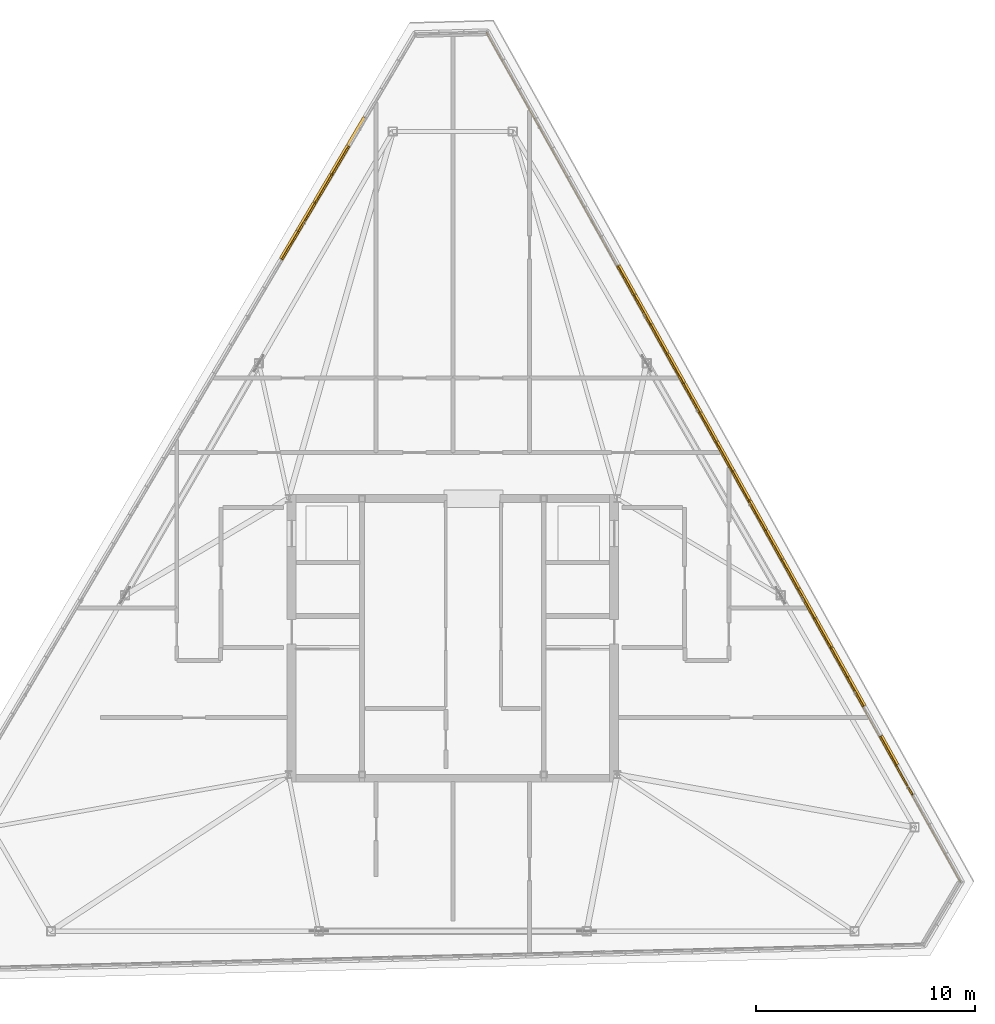
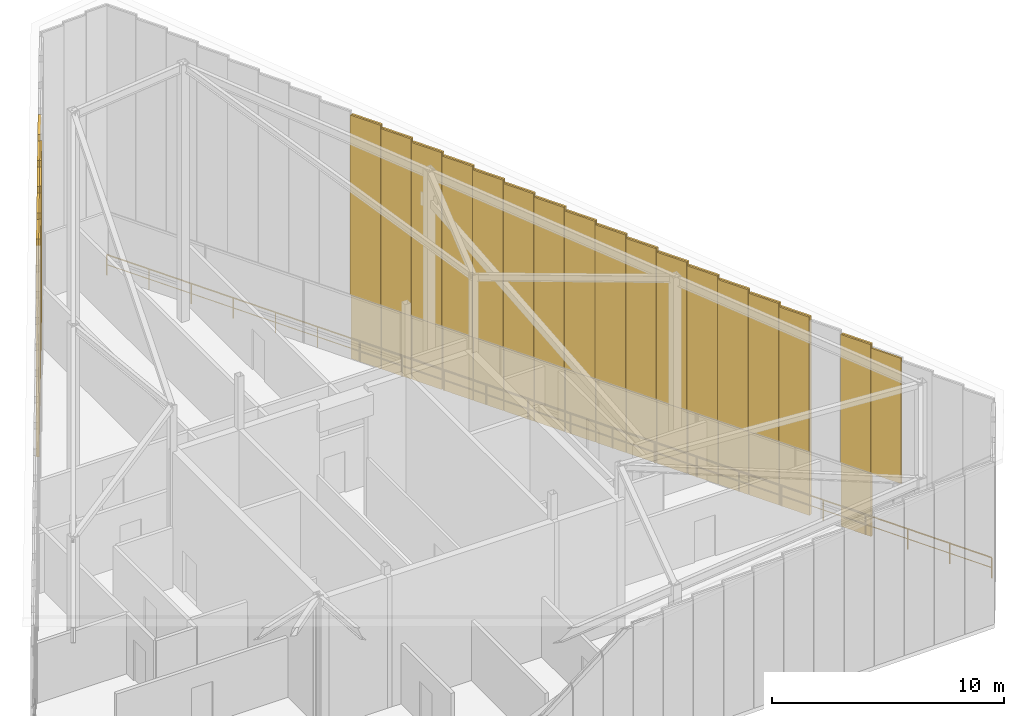
# One storey, part 49 of 50: 21 coverings, 21 shading devices, 1 railing.
"""IFC4 building model written with IfcOpenShell, lengths in metres."""

import ifcopenshell
import ifcopenshell.guid

model = None  # the IFC model being written
_history = None  # IfcOwnerHistory: only IFC2X3 demands one
_inside = {}  # id of a spatial element -> (the spatial element, [elements in it])
_under = {}  # id of a project, library or spatial element -> (it, [spatial elements below it])
_declared = {}  # id of a project -> (the project, [libraries it declares])
_typed = {}  # id of a type object -> (the type object, [elements of that type])
_made_of = {}  # id of a material, layer set ... -> (it, [elements and type objects made of it])


def new_model(schema):
    """Start an empty IFC model of exactly this schema.

    Asked for "IFC4X3", IfcOpenShell would pick the latest addendum, in which some entities
    have other attributes; the version numbers below select the first issue.
    IFC2X3 requires an IfcOwnerHistory on every rooted entity: one is made here for all.
    """
    global model, _history
    if schema == "IFC4X3":
        model = ifcopenshell.file(schema_version=(4, 3, 0, 0))
    else:
        model = ifcopenshell.file(schema=schema)
    _inside.clear()
    _under.clear()
    _declared.clear()
    _typed.clear()
    _made_of.clear()
    _history = None
    if model.schema == "IFC2X3":
        org = make("IfcOrganization", Name="unknown")
        user = make(
            "IfcPersonAndOrganization",
            ThePerson=make("IfcPerson", FamilyName="unknown"),
            TheOrganization=org,
        )
        app = make(
            "IfcApplication",
            ApplicationDeveloper=org,
            Version="unknown",
            ApplicationFullName="unknown",
            ApplicationIdentifier="unknown",
        )
        _history = make(
            "IfcOwnerHistory",
            OwningUser=user,
            OwningApplication=app,
            ChangeAction="ADDED",
            CreationDate=0,
        )
    return model


def make(cls, **values):
    """One entity of the class cls with the attributes given. An attribute that is None is left unset."""
    return model.create_entity(
        cls, **{name: value for name, value in values.items() if value is not None}
    )


def rooted(cls, **values):
    """An entity with a GlobalId (a new one), such as an element, a storey or a relation."""
    return make(cls, GlobalId=ifcopenshell.guid.new(), OwnerHistory=_history, **values)


def si_unit(unit_type, name, prefix=None):
    """IfcSIUnit, for example si_unit("LENGTHUNIT", "METRE", prefix="MILLI")."""
    return make("IfcSIUnit", UnitType=unit_type, Prefix=prefix, Name=name)


def assignment(units):
    """IfcUnitAssignment: the units of a project."""
    return None if units is None else make("IfcUnitAssignment", Units=units)


def point(xyz):
    """IfcCartesianPoint."""
    return None if xyz is None else make("IfcCartesianPoint", Coordinates=xyz)


def direction(xyz):
    """IfcDirection."""
    return None if xyz is None else make("IfcDirection", DirectionRatios=xyz)


def frame(location, z_axis=None, x_axis=None):
    """IfcAxis2Placement3D, a coordinate frame: its origin and axes. An axis left out is left unset."""
    return make(
        "IfcAxis2Placement3D",
        Location=point(location),
        Axis=direction(z_axis),
        RefDirection=direction(x_axis),
    )


def frame_2d(location, x_axis=None):
    """IfcAxis2Placement2D, a coordinate frame in the plane: its origin and x axis."""
    return make(
        "IfcAxis2Placement2D", Location=point(location), RefDirection=direction(x_axis)
    )


def origin():
    """The frame at (0, 0, 0) with its axes left unset."""
    return frame((0.0, 0.0, 0.0))


def origin_2d():
    """The frame at (0, 0) in the plane with its x axis left unset."""
    return frame_2d((0.0, 0.0))


def place(relative_to, where):
    """IfcLocalPlacement: puts the frame where relative to a parent placement (None: the world)."""
    return make(
        "IfcLocalPlacement", PlacementRelTo=relative_to, RelativePlacement=where
    )


def context(
    kind, dimensions, precision=None, world=None, true_north=None, identifier=None
):
    """IfcGeometricRepresentationContext, for example the 3D "Model" context."""
    return make(
        "IfcGeometricRepresentationContext",
        ContextIdentifier=identifier,
        ContextType=kind,
        CoordinateSpaceDimension=dimensions,
        Precision=precision,
        WorldCoordinateSystem=world,
        TrueNorth=true_north,
    )


def subcontext(parent, identifier, kind, view, scale=None):
    """IfcGeometricRepresentationSubContext, for example "Body" below "Model"."""
    return make(
        "IfcGeometricRepresentationSubContext",
        ContextIdentifier=identifier,
        ContextType=kind,
        ParentContext=parent,
        TargetScale=scale,
        TargetView=view,
    )


def project(units=None, contexts=None):
    """IfcProject with its units and contexts."""
    return rooted(
        "IfcProject",
        Name="project",
        RepresentationContexts=contexts,
        UnitsInContext=assignment(units),
    )


def spatial(cls, under=None, at=None, **own):
    """A site, building, storey or space (cls), placed at a placement, below another one or the project."""
    s = rooted(cls, ObjectPlacement=at, **own)
    if under is not None:
        _under.setdefault(under.id(), (under, []))[1].append(s)
    return s


def profile(cls, at=None, kind="AREA", **sizes):
    """A parametric profile (cls). Its sizes go by their IFC names, for example OverallWidth=200.0."""
    return make(cls, ProfileType=kind, Position=at, **sizes)


def rectangle(**sizes):
    """IfcRectangleProfileDef."""
    return profile("IfcRectangleProfileDef", **sizes)


def extrude(swept, where, along, depth):
    """IfcExtrudedAreaSolid: the profile swept, set in the frame where, extruded along a direction by depth."""
    return make(
        "IfcExtrudedAreaSolid",
        SweptArea=swept,
        Position=where,
        ExtrudedDirection=direction(along),
        Depth=depth,
    )


def shape(context_of_items, identifier, shape_type, items):
    """IfcShapeRepresentation: the items that make up one representation, for example the "Body"."""
    return make(
        "IfcShapeRepresentation",
        ContextOfItems=context_of_items,
        RepresentationIdentifier=identifier,
        RepresentationType=shape_type,
        Items=items,
    )


def source(mapping_origin, context_of_items, identifier, shape_type, items):
    """IfcRepresentationMap: a shape defined once, which mapped items show again and again."""
    return make(
        "IfcRepresentationMap",
        MappingOrigin=mapping_origin,
        MappedRepresentation=shape(context_of_items, identifier, shape_type, items),
    )


def transform(
    local_origin,
    x_axis=None,
    y_axis=None,
    z_axis=None,
    scale=None,
    scale2=None,
    scale3=None,
    uniform=True,
):
    """IfcCartesianTransformationOperator3D, or its non-uniform kind. x_axis, y_axis, z_axis: its Axis1, 2, 3."""
    if uniform:
        return make(
            "IfcCartesianTransformationOperator3D",
            Axis1=direction(x_axis),
            Axis2=direction(y_axis),
            LocalOrigin=point(local_origin),
            Scale=scale,
            Axis3=direction(z_axis),
        )
    return make(
        "IfcCartesianTransformationOperator3DnonUniform",
        Axis1=direction(x_axis),
        Axis2=direction(y_axis),
        LocalOrigin=point(local_origin),
        Scale=scale,
        Axis3=direction(z_axis),
        Scale2=scale2,
        Scale3=scale3,
    )


def mapped(mapping_source, mapping_target):
    """IfcMappedItem: shows the shape of a source again, moved by a transform."""
    return make(
        "IfcMappedItem", MappingSource=mapping_source, MappingTarget=mapping_target
    )


def material(Name=None, Category=None):
    """IfcMaterial."""
    return make("IfcMaterial", Name=Name, Category=Category)


def layer(
    of_material, thickness, ventilated=None, Name=None, Category=None, Priority=None
):
    """IfcMaterialLayer: one layer of a wall or slab, of a material (None: an air gap)."""
    return make(
        "IfcMaterialLayer",
        Material=of_material,
        LayerThickness=thickness,
        IsVentilated=ventilated,
        Name=Name,
        Category=Category,
        Priority=Priority,
    )


def layer_set(layers, Name=None):
    """IfcMaterialLayerSet."""
    return make("IfcMaterialLayerSet", MaterialLayers=layers, LayerSetName=Name)


def made_of(thing, what):
    """Note that an element or type object is made of a material, layer set ...; save() writes the relation."""
    if what is not None:
        _made_of.setdefault(what.id(), (what, []))[1].append(thing)
    return thing


def type_object(cls, material=None, **own):
    """A type object (cls), such as IfcWallType, which elements share."""
    return made_of(rooted(cls, **own), material)


def type_shapes(of_type, sources):
    """Give a type object the sources (RepresentationMaps) that its elements show as mapped items."""
    of_type.RepresentationMaps = sources


def element(
    cls,
    number,
    at=None,
    inside=None,
    cuts=None,
    type_object=None,
    material=None,
    context=None,
    identifier="Body",
    shape_type=None,
    held_by="IfcProductDefinitionShape",
    body=None,
    shapes=None,
    **own,
):
    """One element of the class cls, such as IfcWall. Its Tag is "e" and its number.

    at: its placement. inside: the storey or other place that contains it. cuts: it is an
    opening in that element (IfcRelVoidsElement). A single representation is given by context,
    identifier, shape_type and body (its items); several are given by shapes. held_by: the class
    of the entity that holds the representations. save() writes the other relations.
    """
    e = rooted(cls, Tag="e%d" % number, ObjectPlacement=at, **own)
    if body is not None:
        shapes = [shape(context, identifier, shape_type, body)]
    if shapes is not None:
        e.Representation = make(held_by, Representations=shapes)
    if inside is not None:
        _inside.setdefault(inside.id(), (inside, []))[1].append(e)
    if cuts is not None:
        rooted(
            "IfcRelVoidsElement", RelatingBuildingElement=cuts, RelatedOpeningElement=e
        )
    if type_object is not None:
        _typed.setdefault(type_object.id(), (type_object, []))[1].append(e)
    return made_of(e, material)


def aggregate(whole, parts):
    """IfcRelAggregates: a whole, such as a stair, and the parts it consists of."""
    return rooted("IfcRelAggregates", RelatingObject=whole, RelatedObjects=parts)


def save(model, path):
    """Write the relations noted so far, then the file.

    IfcRelAggregates (storeys below a building ...), IfcRelContainedInSpatialStructure (elements
    in a storey), IfcRelDefinesByType, IfcRelAssociatesMaterial and IfcRelDeclares: one each for
    every whole, place, type object, material and project.
    """
    for whole, parts in _under.values():
        aggregate(whole, parts)
    for where, things in _inside.values():
        rooted(
            "IfcRelContainedInSpatialStructure",
            RelatedElements=things,
            RelatingStructure=where,
        )
    for kind, things in _typed.values():
        rooted("IfcRelDefinesByType", RelatedObjects=things, RelatingType=kind)
    for what, things in _made_of.values():
        rooted("IfcRelAssociatesMaterial", RelatedObjects=things, RelatingMaterial=what)
    for by, libraries in _declared.values():
        rooted("IfcRelDeclares", RelatingContext=by, RelatedDefinitions=libraries)
    model.write(path)


model = new_model("IFC4")

# Units and contexts
model_context = context("Model", 3, precision=1e-05, world=origin(), true_north=direction((0.0, 1.0)))
body_context = subcontext(model_context, "Body", "Model", "MODEL_VIEW")
ifc_project = project(units=[si_unit("LENGTHUNIT", "METRE"), si_unit("AREAUNIT", "SQUARE_METRE"), si_unit("VOLUMEUNIT", "CUBIC_METRE"), si_unit("PLANEANGLEUNIT", "RADIAN"), si_unit("MASSUNIT", "GRAM", prefix="KILO")], contexts=[model_context])

# Site, building, storey
site_placement = place(None, origin())
site = spatial("IfcSite", under=ifc_project, at=site_placement, CompositionType="ELEMENT")
building_placement = place(site_placement, origin())
building = spatial("IfcBuilding", under=site, at=building_placement, Name="Caelisora Broadcast Tower", CompositionType="ELEMENT")
storey_placement = place(building_placement, frame((0.0, 0.0, 303.39990234375)))
storey = spatial("IfcBuildingStorey", under=building, at=storey_placement, Name="L80", CompositionType="ELEMENT", Elevation=303.39990234375)

# Railing
ifc_material_1 = material(Name="Galvanised Steel Safety Guardrail", Category="steel")
ifc_layer_1 = layer(ifc_material_1, 0.048095703125, Name="Galvanised Steel Safety Guardrail")
ifc_layer_set_1 = layer_set([ifc_layer_1], Name="Galvanised Steel Safety Guardrail")
railing_type = type_object("IfcRailingType", Name="GR-1", PredefinedType="GUARDRAIL", material=ifc_layer_set_1)
railing_placement = place(storey_placement, frame((39.541015625, 51.26708984375, 0.0)))
element("IfcRailing", 1, at=railing_placement, inside=storey, type_object=railing_type, Name="L80 balustrade GR-1 #06", PredefinedType="GUARDRAIL", context=body_context, shape_type="SweptSolid", body=[
    extrude(rectangle(XDim=0.048095703125, YDim=0.048095703125, at=origin_2d()), frame((0.0, 0.0, 1.076171875), z_axis=(0.487266590232, -0.873253267983, 0.0), x_axis=(0.873253267983, 0.487266590232, 0.0)), (0.0, 0.0, 1.0), 44.392822265625),
    extrude(rectangle(XDim=0.03125, YDim=0.03125, at=origin_2d()), frame((0.0, 0.0, 0.550048828125), z_axis=(0.487266590232, -0.873253267983, 0.0), x_axis=(0.873253267983, 0.487266590232, 0.0)), (0.0, 0.0, 1.0), 44.392822265625),
    extrude(rectangle(XDim=0.0419921875, YDim=0.0419921875, at=origin_2d()), origin(), (0.0, 0.0, 1.0), 1.052001953125),
    extrude(rectangle(XDim=0.0419921875, YDim=0.0419921875, at=origin_2d()), frame((1.030029296875, -1.845947265625, 0.0)), (0.0, 0.0, 1.0), 1.052001953125),
    extrude(rectangle(XDim=0.0419921875, YDim=0.0419921875, at=origin_2d()), frame((2.06005859375, -3.69189453125, 0.0)), (0.0, 0.0, 1.0), 1.052001953125),
    extrude(rectangle(XDim=0.0419921875, YDim=0.0419921875, at=origin_2d()), frame((3.090087890625, -5.5380859375, 0.0)), (0.0, 0.0, 1.0), 1.052001953125),
    extrude(rectangle(XDim=0.0419921875, YDim=0.0419921875, at=origin_2d()), frame((4.1201171875, -7.384033203125, 0.0)), (0.0, 0.0, 1.0), 1.052001953125),
    extrude(rectangle(XDim=0.0419921875, YDim=0.0419921875, at=origin_2d()), frame((5.150146484375, -9.22998046875, 0.0)), (0.0, 0.0, 1.0), 1.052001953125),
    extrude(rectangle(XDim=0.0419921875, YDim=0.0419921875, at=origin_2d()), frame((6.180419921875, -11.075927734375, 0.0)), (0.0, 0.0, 1.0), 1.052001953125),
    extrude(rectangle(XDim=0.0419921875, YDim=0.0419921875, at=origin_2d()), frame((7.21044921875, -12.922119140625, 0.0)), (0.0, 0.0, 1.0), 1.052001953125),
    extrude(rectangle(XDim=0.0419921875, YDim=0.0419921875, at=origin_2d()), frame((8.240478515625, -14.76806640625, 0.0)), (0.0, 0.0, 1.0), 1.052001953125),
    extrude(rectangle(XDim=0.0419921875, YDim=0.0419921875, at=origin_2d()), frame((9.2705078125, -16.614013671875, 0.0)), (0.0, 0.0, 1.0), 1.052001953125),
    extrude(rectangle(XDim=0.0419921875, YDim=0.0419921875, at=origin_2d()), frame((10.300537109375, -18.4599609375, 0.0)), (0.0, 0.0, 1.0), 1.052001953125),
    extrude(rectangle(XDim=0.0419921875, YDim=0.0419921875, at=origin_2d()), frame((11.33056640625, -20.30615234375, 0.0)), (0.0, 0.0, 1.0), 1.052001953125),
    extrude(rectangle(XDim=0.0419921875, YDim=0.0419921875, at=origin_2d()), frame((12.360595703125, -22.152099609375, 0.0)), (0.0, 0.0, 1.0), 1.052001953125),
    extrude(rectangle(XDim=0.0419921875, YDim=0.0419921875, at=origin_2d()), frame((13.390625, -23.998046875, 0.0)), (0.0, 0.0, 1.0), 1.052001953125),
    extrude(rectangle(XDim=0.0419921875, YDim=0.0419921875, at=origin_2d()), frame((14.420654296875, -25.843994140625, 0.0)), (0.0, 0.0, 1.0), 1.052001953125),
    extrude(rectangle(XDim=0.0419921875, YDim=0.0419921875, at=origin_2d()), frame((15.45068359375, -27.690185546875, 0.0)), (0.0, 0.0, 1.0), 1.052001953125),
    extrude(rectangle(XDim=0.0419921875, YDim=0.0419921875, at=origin_2d()), frame((16.48095703125, -29.5361328125, 0.0)), (0.0, 0.0, 1.0), 1.052001953125),
    extrude(rectangle(XDim=0.0419921875, YDim=0.0419921875, at=origin_2d()), frame((17.510986328125, -31.382080078125, 0.0)), (0.0, 0.0, 1.0), 1.052001953125),
    extrude(rectangle(XDim=0.0419921875, YDim=0.0419921875, at=origin_2d()), frame((18.541015625, -33.22802734375, 0.0)), (0.0, 0.0, 1.0), 1.052001953125),
    extrude(rectangle(XDim=0.0419921875, YDim=0.0419921875, at=origin_2d()), frame((19.571044921875, -35.07421875, 0.0)), (0.0, 0.0, 1.0), 1.052001953125),
    extrude(rectangle(XDim=0.0419921875, YDim=0.0419921875, at=origin_2d()), frame((20.60107421875, -36.920166015625, 0.0)), (0.0, 0.0, 1.0), 1.052001953125),
    extrude(rectangle(XDim=0.0419921875, YDim=0.0419921875, at=origin_2d()), frame((21.631103515625, -38.76611328125, 0.0)), (0.0, 0.0, 1.0), 1.052001953125),
])

# Shading devices
ifc_material_2 = material(Name="Anodised Terracotta Aluminium Acoustic Louvre", Category="aluminium")
ifc_layer_2 = layer(ifc_material_2, 0.139892578125, Name="Anodised Terracotta Aluminium Acoustic Louvre")
ifc_layer_set_2 = layer_set([ifc_layer_2], Name="Anodised Terracotta Aluminium Acoustic Louvre")
shading_device_type = type_object("IfcShadingDeviceType", Name="LV-1", PredefinedType="JALOUSIE", material=ifc_layer_set_2)
shared_shape_1 = source(origin(), body_context, "Body", "SweptSolid", [
    extrude(rectangle(XDim=1.475830078125, YDim=0.139892578125, at=origin_2d()), origin(), (0.0, 0.0, 1.0), 12.75390625),
])
shading_device_1_placement = place(storey_placement, frame((33.584228515625, 46.7666015625, -0.019775390625), z_axis=(0.0, 0.0, 1.0), x_axis=(-0.508891180174, -0.860830858381, 0.0)))
element("IfcShadingDevice", 2, at=shading_device_1_placement, inside=storey, type_object=shading_device_type, Name="L80 crown acoustic louvre #007", PredefinedType="JALOUSIE", context=body_context, shape_type="MappedRepresentation", body=[
    mapped(shared_shape_1, transform((0.0, 0.0, 0.0), scale=1.0)),
])
shared_shape_2 = source(origin(), body_context, "Body", "SweptSolid", [
    extrude(rectangle(XDim=1.475830078125, YDim=0.139892578125, at=origin_2d()), origin(), (0.0, 0.0, 1.0), 12.430908203125),
])
shading_device_2_placement = place(storey_placement, frame((32.81787109375, 45.47021484375, -0.02001953125), z_axis=(0.0, 0.0, 1.0), x_axis=(-0.508891180174, -0.860830858381, 0.0)))
element("IfcShadingDevice", 3, at=shading_device_2_placement, inside=storey, type_object=shading_device_type, Name="L80 crown acoustic louvre #008", PredefinedType="JALOUSIE", context=body_context, shape_type="MappedRepresentation", body=[
    mapped(shared_shape_2, transform((0.0, 0.0, 0.0), scale=1.0)),
])

# Covering
ifc_material_3 = material(Name="Kiln-Fired Terracotta Spandrel Rainscreen Cladding", Category="ceramic")
ifc_layer_3 = layer(ifc_material_3, 0.044921875, Name="Kiln-Fired Terracotta Spandrel Rainscreen Cladding")
ifc_layer_set_3 = layer_set([ifc_layer_3], Name="Kiln-Fired Terracotta Spandrel Rainscreen Cladding")
covering_type = type_object("IfcCoveringType", Name="CL-1", PredefinedType="CLADDING", material=ifc_layer_set_3)
shared_shape_3 = source(origin(), body_context, "Body", "SweptSolid", [
    extrude(rectangle(XDim=1.48583984375, YDim=0.080078125, at=origin_2d()), origin(), (0.0, 0.0, 1.0), 9.0810546875),
])
covering_1_placement = place(storey_placement, frame((32.88671875, 45.429443359375, 3.340087890625), z_axis=(0.0, 0.0, 1.0), x_axis=(-0.508891180174, -0.860830858381, 0.0)))
element("IfcCovering", 4, at=covering_1_placement, inside=storey, type_object=covering_type, Name="L80 crown fascia cladding #008", PredefinedType="CLADDING", context=body_context, shape_type="MappedRepresentation", body=[
    mapped(shared_shape_3, transform((0.0, 0.0, 0.0), scale=1.0)),
])

# Shading device
shared_shape_4 = source(origin(), body_context, "Body", "SweptSolid", [
    extrude(rectangle(XDim=1.475830078125, YDim=0.139892578125, at=origin_2d()), origin(), (0.0, 0.0, 1.0), 12.10693359375),
])
shading_device_3_placement = place(storey_placement, frame((32.051513671875, 44.173828125, -0.019775390625), z_axis=(0.0, 0.0, 1.0), x_axis=(-0.508891180174, -0.860830858381, 0.0)))
element("IfcShadingDevice", 5, at=shading_device_3_placement, inside=storey, type_object=shading_device_type, Name="L80 crown acoustic louvre #009", PredefinedType="JALOUSIE", context=body_context, shape_type="MappedRepresentation", body=[
    mapped(shared_shape_4, transform((0.0, 0.0, 0.0), scale=1.0)),
])

# Covering
shared_shape_5 = source(origin(), body_context, "Body", "SweptSolid", [
    extrude(rectangle(XDim=1.48583984375, YDim=0.080078125, at=origin_2d()), origin(), (0.0, 0.0, 1.0), 8.757080078125),
])
covering_2_placement = place(storey_placement, frame((32.12060546875, 44.133056640625, 3.33984375), z_axis=(0.0, 0.0, 1.0), x_axis=(-0.508891180174, -0.860830858381, 0.0)))
element("IfcCovering", 6, at=covering_2_placement, inside=storey, type_object=covering_type, Name="L80 crown fascia cladding #009", PredefinedType="CLADDING", context=body_context, shape_type="MappedRepresentation", body=[
    mapped(shared_shape_5, transform((0.0, 0.0, 0.0), scale=1.0)),
])

# Shading device
shared_shape_6 = source(origin(), body_context, "Body", "SweptSolid", [
    extrude(rectangle(XDim=1.475830078125, YDim=0.139892578125, at=origin_2d()), origin(), (0.0, 0.0, 1.0), 11.782958984375),
])
shading_device_4_placement = place(storey_placement, frame((31.285400390625, 42.87744140625, -0.02001953125), z_axis=(0.0, 0.0, 1.0), x_axis=(-0.508891180174, -0.860830858381, 0.0)))
element("IfcShadingDevice", 7, at=shading_device_4_placement, inside=storey, type_object=shading_device_type, Name="L80 crown acoustic louvre #010", PredefinedType="JALOUSIE", context=body_context, shape_type="MappedRepresentation", body=[
    mapped(shared_shape_6, transform((0.0, 0.0, 0.0), scale=1.0)),
])

# Covering
shared_shape_7 = source(origin(), body_context, "Body", "SweptSolid", [
    extrude(rectangle(XDim=1.48583984375, YDim=0.080078125, at=origin_2d()), origin(), (0.0, 0.0, 1.0), 8.43310546875),
])
covering_3_placement = place(storey_placement, frame((31.35400390625, 42.8369140625, 3.340087890625), z_axis=(0.0, 0.0, 1.0), x_axis=(-0.508891180174, -0.860830858381, 0.0)))
element("IfcCovering", 8, at=covering_3_placement, inside=storey, type_object=covering_type, Name="L80 crown fascia cladding #010", PredefinedType="CLADDING", context=body_context, shape_type="MappedRepresentation", body=[
    mapped(shared_shape_7, transform((0.0, 0.0, 0.0), scale=1.0)),
])

# Shading device
shared_shape_8 = source(origin(), body_context, "Body", "SweptSolid", [
    extrude(rectangle(XDim=1.475830078125, YDim=0.139892578125, at=origin_2d()), origin(), (0.0, 0.0, 1.0), 11.458984375),
])
shading_device_5_placement = place(storey_placement, frame((30.518798828125, 41.5810546875, -0.019775390625), z_axis=(0.0, 0.0, 1.0), x_axis=(-0.508891180174, -0.860830858381, 0.0)))
element("IfcShadingDevice", 9, at=shading_device_5_placement, inside=storey, type_object=shading_device_type, Name="L80 crown acoustic louvre #011", PredefinedType="JALOUSIE", context=body_context, shape_type="MappedRepresentation", body=[
    mapped(shared_shape_8, transform((0.0, 0.0, 0.0), scale=1.0)),
])

# Coverings
shared_shape_9 = source(origin(), body_context, "Body", "SweptSolid", [
    extrude(rectangle(XDim=1.48583984375, YDim=0.080078125, at=origin_2d()), origin(), (0.0, 0.0, 1.0), 8.10888671875),
])
covering_4_placement = place(storey_placement, frame((30.587890625, 41.540283203125, 3.340087890625), z_axis=(0.0, 0.0, 1.0), x_axis=(-0.508891180174, -0.860830858381, 0.0)))
element("IfcCovering", 10, at=covering_4_placement, inside=storey, type_object=covering_type, Name="L80 crown fascia cladding #011", PredefinedType="CLADDING", context=body_context, shape_type="MappedRepresentation", body=[
    mapped(shared_shape_9, transform((0.0, 0.0, 0.0), scale=1.0)),
])
shared_shape_10 = source(origin(), body_context, "Body", "SweptSolid", [
    extrude(rectangle(XDim=1.5166015625, YDim=0.080078125, at=origin_2d()), origin(), (0.0, 0.0, 1.0), 6.592041015625),
])
covering_5_placement = place(storey_placement, frame((58.60791015625, 17.13671875, 3.33984375), z_axis=(0.0, 0.0, 1.0), x_axis=(-0.487250125725, 0.87326245481, 0.0)))
element("IfcCovering", 11, at=covering_5_placement, inside=storey, type_object=covering_type, Name="L80 crown fascia cladding #072", PredefinedType="CLADDING", context=body_context, shape_type="MappedRepresentation", body=[
    mapped(shared_shape_10, transform((0.0, 0.0, 0.0), scale=1.0)),
])

# Shading device
shared_shape_11 = source(origin(), body_context, "Body", "SweptSolid", [
    extrude(rectangle(XDim=1.506591796875, YDim=0.139892578125, at=origin_2d()), origin(), (0.0, 0.0, 1.0), 10.112060546875),
])
shading_device_6_placement = place(storey_placement, frame((57.92919921875, 18.517333984375, -0.02001953125), z_axis=(0.0, 0.0, 1.0), x_axis=(-0.487250125725, 0.87326245481, 0.0)))
element("IfcShadingDevice", 12, at=shading_device_6_placement, inside=storey, type_object=shading_device_type, Name="L80 crown acoustic louvre #073", PredefinedType="JALOUSIE", context=body_context, shape_type="MappedRepresentation", body=[
    mapped(shared_shape_11, transform((0.0, 0.0, 0.0), scale=1.0)),
])

# Covering
shared_shape_12 = source(origin(), body_context, "Body", "SweptSolid", [
    extrude(rectangle(XDim=1.5166015625, YDim=0.080078125, at=origin_2d()), origin(), (0.0, 0.0, 1.0), 6.761962890625),
])
covering_6_placement = place(storey_placement, frame((57.859375, 18.478271484375, 3.34033203125), z_axis=(0.0, 0.0, 1.0), x_axis=(-0.487250125725, 0.87326245481, 0.0)))
element("IfcCovering", 13, at=covering_6_placement, inside=storey, type_object=covering_type, Name="L80 crown fascia cladding #073", PredefinedType="CLADDING", context=body_context, shape_type="MappedRepresentation", body=[
    mapped(shared_shape_12, transform((0.0, 0.0, 0.0), scale=1.0)),
])

# Shading device
shared_shape_13 = source(origin(), body_context, "Body", "SweptSolid", [
    extrude(rectangle(XDim=1.506591796875, YDim=0.139892578125, at=origin_2d()), origin(), (0.0, 0.0, 1.0), 10.449951171875),
])
shading_device_7_placement = place(storey_placement, frame((56.431884765625, 21.20068359375, -0.02001953125), z_axis=(0.0, 0.0, 1.0), x_axis=(-0.487250125725, 0.87326245481, 0.0)))
element("IfcShadingDevice", 14, at=shading_device_7_placement, inside=storey, type_object=shading_device_type, Name="L80 crown acoustic louvre #075", PredefinedType="JALOUSIE", context=body_context, shape_type="MappedRepresentation", body=[
    mapped(shared_shape_13, transform((0.0, 0.0, 0.0), scale=1.0)),
])

# Covering
shared_shape_14 = source(origin(), body_context, "Body", "SweptSolid", [
    extrude(rectangle(XDim=1.5166015625, YDim=0.080078125, at=origin_2d()), origin(), (0.0, 0.0, 1.0), 7.10009765625),
])
covering_7_placement = place(storey_placement, frame((56.362060546875, 21.16162109375, 3.340087890625), z_axis=(0.0, 0.0, 1.0), x_axis=(-0.487250125725, 0.87326245481, 0.0)))
element("IfcCovering", 15, at=covering_7_placement, inside=storey, type_object=covering_type, Name="L80 crown fascia cladding #075", PredefinedType="CLADDING", context=body_context, shape_type="MappedRepresentation", body=[
    mapped(shared_shape_14, transform((0.0, 0.0, 0.0), scale=1.0)),
])

# Shading device
shared_shape_15 = source(origin(), body_context, "Body", "SweptSolid", [
    extrude(rectangle(XDim=1.506591796875, YDim=0.139892578125, at=origin_2d()), origin(), (0.0, 0.0, 1.0), 10.6201171875),
])
shading_device_8_placement = place(storey_placement, frame((55.68310546875, 22.54248046875, -0.02001953125), z_axis=(0.0, 0.0, 1.0), x_axis=(-0.487250125725, 0.87326245481, 0.0)))
element("IfcShadingDevice", 16, at=shading_device_8_placement, inside=storey, type_object=shading_device_type, Name="L80 crown acoustic louvre #076", PredefinedType="JALOUSIE", context=body_context, shape_type="MappedRepresentation", body=[
    mapped(shared_shape_15, transform((0.0, 0.0, 0.0), scale=1.0)),
])

# Covering
shared_shape_16 = source(origin(), body_context, "Body", "SweptSolid", [
    extrude(rectangle(XDim=1.5166015625, YDim=0.080078125, at=origin_2d()), origin(), (0.0, 0.0, 1.0), 7.27001953125),
])
covering_8_placement = place(storey_placement, frame((55.61328125, 22.50341796875, 3.340087890625), z_axis=(0.0, 0.0, 1.0), x_axis=(-0.487250125725, 0.87326245481, 0.0)))
element("IfcCovering", 17, at=covering_8_placement, inside=storey, type_object=covering_type, Name="L80 crown fascia cladding #076", PredefinedType="CLADDING", context=body_context, shape_type="MappedRepresentation", body=[
    mapped(shared_shape_16, transform((0.0, 0.0, 0.0), scale=1.0)),
])

# Shading device
shared_shape_17 = source(origin(), body_context, "Body", "SweptSolid", [
    extrude(rectangle(XDim=1.506591796875, YDim=0.139892578125, at=origin_2d()), origin(), (0.0, 0.0, 1.0), 10.7890625),
])
shading_device_9_placement = place(storey_placement, frame((54.9345703125, 23.88427734375, -0.02001953125), z_axis=(0.0, 0.0, 1.0), x_axis=(-0.487250125725, 0.87326245481, 0.0)))
element("IfcShadingDevice", 18, at=shading_device_9_placement, inside=storey, type_object=shading_device_type, Name="L80 crown acoustic louvre #077", PredefinedType="JALOUSIE", context=body_context, shape_type="MappedRepresentation", body=[
    mapped(shared_shape_17, transform((0.0, 0.0, 0.0), scale=1.0)),
])

# Covering
shared_shape_18 = source(origin(), body_context, "Body", "SweptSolid", [
    extrude(rectangle(XDim=1.5166015625, YDim=0.080078125, at=origin_2d()), origin(), (0.0, 0.0, 1.0), 7.43896484375),
])
covering_9_placement = place(storey_placement, frame((54.864501953125, 23.84521484375, 3.340087890625), z_axis=(0.0, 0.0, 1.0), x_axis=(-0.487250125725, 0.87326245481, 0.0)))
element("IfcCovering", 19, at=covering_9_placement, inside=storey, type_object=covering_type, Name="L80 crown fascia cladding #077", PredefinedType="CLADDING", context=body_context, shape_type="MappedRepresentation", body=[
    mapped(shared_shape_18, transform((0.0, 0.0, 0.0), scale=1.0)),
])

# Shading device
shared_shape_19 = source(origin(), body_context, "Body", "SweptSolid", [
    extrude(rectangle(XDim=1.506591796875, YDim=0.139892578125, at=origin_2d()), origin(), (0.0, 0.0, 1.0), 10.9580078125),
])
shading_device_10_placement = place(storey_placement, frame((54.185791015625, 25.225830078125, -0.02001953125), z_axis=(0.0, 0.0, 1.0), x_axis=(-0.487250125725, 0.87326245481, 0.0)))
element("IfcShadingDevice", 20, at=shading_device_10_placement, inside=storey, type_object=shading_device_type, Name="L80 crown acoustic louvre #078", PredefinedType="JALOUSIE", context=body_context, shape_type="MappedRepresentation", body=[
    mapped(shared_shape_19, transform((0.0, 0.0, 0.0), scale=1.0)),
])

# Covering
shared_shape_20 = source(origin(), body_context, "Body", "SweptSolid", [
    extrude(rectangle(XDim=1.5166015625, YDim=0.080078125, at=origin_2d()), origin(), (0.0, 0.0, 1.0), 7.60791015625),
])
covering_10_placement = place(storey_placement, frame((54.115966796875, 25.18701171875, 3.340087890625), z_axis=(0.0, 0.0, 1.0), x_axis=(-0.487250125725, 0.87326245481, 0.0)))
element("IfcCovering", 21, at=covering_10_placement, inside=storey, type_object=covering_type, Name="L80 crown fascia cladding #078", PredefinedType="CLADDING", context=body_context, shape_type="MappedRepresentation", body=[
    mapped(shared_shape_20, transform((0.0, 0.0, 0.0), scale=1.0)),
])

# Shading device
shared_shape_21 = source(origin(), body_context, "Body", "SweptSolid", [
    extrude(rectangle(XDim=1.506591796875, YDim=0.139892578125, at=origin_2d()), origin(), (0.0, 0.0, 1.0), 11.1279296875),
])
shading_device_11_placement = place(storey_placement, frame((53.437255859375, 26.567626953125, -0.019775390625), z_axis=(0.0, 0.0, 1.0), x_axis=(-0.487250125725, 0.87326245481, 0.0)))
element("IfcShadingDevice", 22, at=shading_device_11_placement, inside=storey, type_object=shading_device_type, Name="L80 crown acoustic louvre #079", PredefinedType="JALOUSIE", context=body_context, shape_type="MappedRepresentation", body=[
    mapped(shared_shape_21, transform((0.0, 0.0, 0.0), scale=1.0)),
])

# Covering
shared_shape_22 = source(origin(), body_context, "Body", "SweptSolid", [
    extrude(rectangle(XDim=1.5166015625, YDim=0.080078125, at=origin_2d()), origin(), (0.0, 0.0, 1.0), 7.778076171875),
])
covering_11_placement = place(storey_placement, frame((53.3671875, 26.528564453125, 3.33984375), z_axis=(0.0, 0.0, 1.0), x_axis=(-0.487250125725, 0.87326245481, 0.0)))
element("IfcCovering", 23, at=covering_11_placement, inside=storey, type_object=covering_type, Name="L80 crown fascia cladding #079", PredefinedType="CLADDING", context=body_context, shape_type="MappedRepresentation", body=[
    mapped(shared_shape_22, transform((0.0, 0.0, 0.0), scale=1.0)),
])

# Shading device
shared_shape_23 = source(origin(), body_context, "Body", "SweptSolid", [
    extrude(rectangle(XDim=1.506591796875, YDim=0.139892578125, at=origin_2d()), origin(), (0.0, 0.0, 1.0), 11.297119140625),
])
shading_device_12_placement = place(storey_placement, frame((52.6884765625, 27.9091796875, -0.02001953125), z_axis=(0.0, 0.0, 1.0), x_axis=(-0.487250125725, 0.87326245481, 0.0)))
element("IfcShadingDevice", 24, at=shading_device_12_placement, inside=storey, type_object=shading_device_type, Name="L80 crown acoustic louvre #080", PredefinedType="JALOUSIE", context=body_context, shape_type="MappedRepresentation", body=[
    mapped(shared_shape_23, transform((0.0, 0.0, 0.0), scale=1.0)),
])

# Covering
shared_shape_24 = source(origin(), body_context, "Body", "SweptSolid", [
    extrude(rectangle(XDim=1.5166015625, YDim=0.080078125, at=origin_2d()), origin(), (0.0, 0.0, 1.0), 7.947021484375),
])
covering_12_placement = place(storey_placement, frame((52.61865234375, 27.870361328125, 3.33984375), z_axis=(0.0, 0.0, 1.0), x_axis=(-0.487250125725, 0.87326245481, 0.0)))
element("IfcCovering", 25, at=covering_12_placement, inside=storey, type_object=covering_type, Name="L80 crown fascia cladding #080", PredefinedType="CLADDING", context=body_context, shape_type="MappedRepresentation", body=[
    mapped(shared_shape_24, transform((0.0, 0.0, 0.0), scale=1.0)),
])

# Shading device
shared_shape_25 = source(origin(), body_context, "Body", "SweptSolid", [
    extrude(rectangle(XDim=1.506591796875, YDim=0.139892578125, at=origin_2d()), origin(), (0.0, 0.0, 1.0), 11.466064453125),
])
shading_device_13_placement = place(storey_placement, frame((51.93994140625, 29.251220703125, -0.02001953125), z_axis=(0.0, 0.0, 1.0), x_axis=(-0.487250125725, 0.87326245481, 0.0)))
element("IfcShadingDevice", 26, at=shading_device_13_placement, inside=storey, type_object=shading_device_type, Name="L80 crown acoustic louvre #081", PredefinedType="JALOUSIE", context=body_context, shape_type="MappedRepresentation", body=[
    mapped(shared_shape_25, transform((0.0, 0.0, 0.0), scale=1.0)),
])

# Covering
shared_shape_26 = source(origin(), body_context, "Body", "SweptSolid", [
    extrude(rectangle(XDim=1.5166015625, YDim=0.080078125, at=origin_2d()), origin(), (0.0, 0.0, 1.0), 8.115966796875),
])
covering_13_placement = place(storey_placement, frame((51.8701171875, 29.212158203125, 3.34033203125), z_axis=(0.0, 0.0, 1.0), x_axis=(-0.487250125725, 0.87326245481, 0.0)))
element("IfcCovering", 27, at=covering_13_placement, inside=storey, type_object=covering_type, Name="L80 crown fascia cladding #081", PredefinedType="CLADDING", context=body_context, shape_type="MappedRepresentation", body=[
    mapped(shared_shape_26, transform((0.0, 0.0, 0.0), scale=1.0)),
])

# Shading device
shared_shape_27 = source(origin(), body_context, "Body", "SweptSolid", [
    extrude(rectangle(XDim=1.506591796875, YDim=0.139892578125, at=origin_2d()), origin(), (0.0, 0.0, 1.0), 11.635986328125),
])
shading_device_14_placement = place(storey_placement, frame((51.191162109375, 30.5927734375, -0.02001953125), z_axis=(0.0, 0.0, 1.0), x_axis=(-0.487250125725, 0.87326245481, 0.0)))
element("IfcShadingDevice", 28, at=shading_device_14_placement, inside=storey, type_object=shading_device_type, Name="L80 crown acoustic louvre #082", PredefinedType="JALOUSIE", context=body_context, shape_type="MappedRepresentation", body=[
    mapped(shared_shape_27, transform((0.0, 0.0, 0.0), scale=1.0)),
])

# Covering
shared_shape_28 = source(origin(), body_context, "Body", "SweptSolid", [
    extrude(rectangle(XDim=1.5166015625, YDim=0.080078125, at=origin_2d()), origin(), (0.0, 0.0, 1.0), 8.285888671875),
])
covering_14_placement = place(storey_placement, frame((51.121337890625, 30.5537109375, 3.34033203125), z_axis=(0.0, 0.0, 1.0), x_axis=(-0.487250125725, 0.87326245481, 0.0)))
element("IfcCovering", 29, at=covering_14_placement, inside=storey, type_object=covering_type, Name="L80 crown fascia cladding #082", PredefinedType="CLADDING", context=body_context, shape_type="MappedRepresentation", body=[
    mapped(shared_shape_28, transform((0.0, 0.0, 0.0), scale=1.0)),
])

# Shading device
shared_shape_29 = source(origin(), body_context, "Body", "SweptSolid", [
    extrude(rectangle(XDim=1.506591796875, YDim=0.139892578125, at=origin_2d()), origin(), (0.0, 0.0, 1.0), 11.804931640625),
])
shading_device_15_placement = place(storey_placement, frame((50.442626953125, 31.9345703125, -0.02001953125), z_axis=(0.0, 0.0, 1.0), x_axis=(-0.487250125725, 0.87326245481, 0.0)))
element("IfcShadingDevice", 30, at=shading_device_15_placement, inside=storey, type_object=shading_device_type, Name="L80 crown acoustic louvre #083", PredefinedType="JALOUSIE", context=body_context, shape_type="MappedRepresentation", body=[
    mapped(shared_shape_29, transform((0.0, 0.0, 0.0), scale=1.0)),
])

# Covering
shared_shape_30 = source(origin(), body_context, "Body", "SweptSolid", [
    extrude(rectangle(XDim=1.5166015625, YDim=0.080078125, at=origin_2d()), origin(), (0.0, 0.0, 1.0), 8.455078125),
])
covering_15_placement = place(storey_placement, frame((50.372802734375, 31.8955078125, 3.340087890625), z_axis=(0.0, 0.0, 1.0), x_axis=(-0.487250125725, 0.87326245481, 0.0)))
element("IfcCovering", 31, at=covering_15_placement, inside=storey, type_object=covering_type, Name="L80 crown fascia cladding #083", PredefinedType="CLADDING", context=body_context, shape_type="MappedRepresentation", body=[
    mapped(shared_shape_30, transform((0.0, 0.0, 0.0), scale=1.0)),
])

# Shading device
shared_shape_31 = source(origin(), body_context, "Body", "SweptSolid", [
    extrude(rectangle(XDim=1.506591796875, YDim=0.139892578125, at=origin_2d()), origin(), (0.0, 0.0, 1.0), 11.97412109375),
])
shading_device_16_placement = place(storey_placement, frame((49.69384765625, 33.276123046875, -0.02001953125), z_axis=(0.0, 0.0, 1.0), x_axis=(-0.487250125725, 0.87326245481, 0.0)))
element("IfcShadingDevice", 32, at=shading_device_16_placement, inside=storey, type_object=shading_device_type, Name="L80 crown acoustic louvre #084", PredefinedType="JALOUSIE", context=body_context, shape_type="MappedRepresentation", body=[
    mapped(shared_shape_31, transform((0.0, 0.0, 0.0), scale=1.0)),
])

# Covering
shared_shape_32 = source(origin(), body_context, "Body", "SweptSolid", [
    extrude(rectangle(XDim=1.5166015625, YDim=0.080078125, at=origin_2d()), origin(), (0.0, 0.0, 1.0), 8.6240234375),
])
covering_16_placement = place(storey_placement, frame((49.6240234375, 33.2373046875, 3.340087890625), z_axis=(0.0, 0.0, 1.0), x_axis=(-0.487250125725, 0.87326245481, 0.0)))
element("IfcCovering", 33, at=covering_16_placement, inside=storey, type_object=covering_type, Name="L80 crown fascia cladding #084", PredefinedType="CLADDING", context=body_context, shape_type="MappedRepresentation", body=[
    mapped(shared_shape_32, transform((0.0, 0.0, 0.0), scale=1.0)),
])

# Shading device
shared_shape_33 = source(origin(), body_context, "Body", "SweptSolid", [
    extrude(rectangle(XDim=1.506591796875, YDim=0.139892578125, at=origin_2d()), origin(), (0.0, 0.0, 1.0), 12.14404296875),
])
shading_device_17_placement = place(storey_placement, frame((48.9453125, 34.617919921875, -0.02001953125), z_axis=(0.0, 0.0, 1.0), x_axis=(-0.487250125725, 0.87326245481, 0.0)))
element("IfcShadingDevice", 34, at=shading_device_17_placement, inside=storey, type_object=shading_device_type, Name="L80 crown acoustic louvre #085", PredefinedType="JALOUSIE", context=body_context, shape_type="MappedRepresentation", body=[
    mapped(shared_shape_33, transform((0.0, 0.0, 0.0), scale=1.0)),
])

# Covering
shared_shape_34 = source(origin(), body_context, "Body", "SweptSolid", [
    extrude(rectangle(XDim=1.5166015625, YDim=0.080078125, at=origin_2d()), origin(), (0.0, 0.0, 1.0), 8.7939453125),
])
covering_17_placement = place(storey_placement, frame((48.87548828125, 34.5791015625, 3.340087890625), z_axis=(0.0, 0.0, 1.0), x_axis=(-0.487250125725, 0.87326245481, 0.0)))
element("IfcCovering", 35, at=covering_17_placement, inside=storey, type_object=covering_type, Name="L80 crown fascia cladding #085", PredefinedType="CLADDING", context=body_context, shape_type="MappedRepresentation", body=[
    mapped(shared_shape_34, transform((0.0, 0.0, 0.0), scale=1.0)),
])

# Shading device
shared_shape_35 = source(origin(), body_context, "Body", "SweptSolid", [
    extrude(rectangle(XDim=1.506591796875, YDim=0.139892578125, at=origin_2d()), origin(), (0.0, 0.0, 1.0), 12.31298828125),
])
shading_device_18_placement = place(storey_placement, frame((48.196533203125, 35.959716796875, -0.019775390625), z_axis=(0.0, 0.0, 1.0), x_axis=(-0.487250125725, 0.87326245481, 0.0)))
element("IfcShadingDevice", 36, at=shading_device_18_placement, inside=storey, type_object=shading_device_type, Name="L80 crown acoustic louvre #086", PredefinedType="JALOUSIE", context=body_context, shape_type="MappedRepresentation", body=[
    mapped(shared_shape_35, transform((0.0, 0.0, 0.0), scale=1.0)),
])

# Covering
shared_shape_36 = source(origin(), body_context, "Body", "SweptSolid", [
    extrude(rectangle(XDim=1.5166015625, YDim=0.080078125, at=origin_2d()), origin(), (0.0, 0.0, 1.0), 8.962890625),
])
covering_18_placement = place(storey_placement, frame((48.126708984375, 35.920654296875, 3.340087890625), z_axis=(0.0, 0.0, 1.0), x_axis=(-0.487250125725, 0.87326245481, 0.0)))
element("IfcCovering", 37, at=covering_18_placement, inside=storey, type_object=covering_type, Name="L80 crown fascia cladding #086", PredefinedType="CLADDING", context=body_context, shape_type="MappedRepresentation", body=[
    mapped(shared_shape_36, transform((0.0, 0.0, 0.0), scale=1.0)),
])

# Shading device
shared_shape_37 = source(origin(), body_context, "Body", "SweptSolid", [
    extrude(rectangle(XDim=1.506591796875, YDim=0.139892578125, at=origin_2d()), origin(), (0.0, 0.0, 1.0), 12.48193359375),
])
shading_device_19_placement = place(storey_placement, frame((47.447998046875, 37.301513671875, -0.019775390625), z_axis=(0.0, 0.0, 1.0), x_axis=(-0.487250125725, 0.87326245481, 0.0)))
element("IfcShadingDevice", 38, at=shading_device_19_placement, inside=storey, type_object=shading_device_type, Name="L80 crown acoustic louvre #087", PredefinedType="JALOUSIE", context=body_context, shape_type="MappedRepresentation", body=[
    mapped(shared_shape_37, transform((0.0, 0.0, 0.0), scale=1.0)),
])

# Covering
shared_shape_38 = source(origin(), body_context, "Body", "SweptSolid", [
    extrude(rectangle(XDim=1.5166015625, YDim=0.080078125, at=origin_2d()), origin(), (0.0, 0.0, 1.0), 9.132080078125),
])
covering_19_placement = place(storey_placement, frame((47.378173828125, 37.262451171875, 3.33984375), z_axis=(0.0, 0.0, 1.0), x_axis=(-0.487250125725, 0.87326245481, 0.0)))
element("IfcCovering", 39, at=covering_19_placement, inside=storey, type_object=covering_type, Name="L80 crown fascia cladding #087", PredefinedType="CLADDING", context=body_context, shape_type="MappedRepresentation", body=[
    mapped(shared_shape_38, transform((0.0, 0.0, 0.0), scale=1.0)),
])

# Shading device
shared_shape_39 = source(origin(), body_context, "Body", "SweptSolid", [
    extrude(rectangle(XDim=1.506591796875, YDim=0.139892578125, at=origin_2d()), origin(), (0.0, 0.0, 1.0), 12.652099609375),
])
shading_device_20_placement = place(storey_placement, frame((46.69921875, 38.64306640625, -0.02001953125), z_axis=(0.0, 0.0, 1.0), x_axis=(-0.487250125725, 0.87326245481, 0.0)))
element("IfcShadingDevice", 40, at=shading_device_20_placement, inside=storey, type_object=shading_device_type, Name="L80 crown acoustic louvre #088", PredefinedType="JALOUSIE", context=body_context, shape_type="MappedRepresentation", body=[
    mapped(shared_shape_39, transform((0.0, 0.0, 0.0), scale=1.0)),
])

# Covering
shared_shape_40 = source(origin(), body_context, "Body", "SweptSolid", [
    extrude(rectangle(XDim=1.5166015625, YDim=0.080078125, at=origin_2d()), origin(), (0.0, 0.0, 1.0), 9.302001953125),
])
covering_20_placement = place(storey_placement, frame((46.62939453125, 38.60400390625, 3.34033203125), z_axis=(0.0, 0.0, 1.0), x_axis=(-0.487250125725, 0.87326245481, 0.0)))
element("IfcCovering", 41, at=covering_20_placement, inside=storey, type_object=covering_type, Name="L80 crown fascia cladding #088", PredefinedType="CLADDING", context=body_context, shape_type="MappedRepresentation", body=[
    mapped(shared_shape_40, transform((0.0, 0.0, 0.0), scale=1.0)),
])

# Shading device
shared_shape_41 = source(origin(), body_context, "Body", "SweptSolid", [
    extrude(rectangle(XDim=1.506591796875, YDim=0.139892578125, at=origin_2d()), origin(), (0.0, 0.0, 1.0), 12.821044921875),
])
type_shapes(shading_device_type, [shared_shape_1, shared_shape_2, shared_shape_4, shared_shape_6, shared_shape_8, shared_shape_11, shared_shape_13, shared_shape_15, shared_shape_17, shared_shape_19, shared_shape_21, shared_shape_23, shared_shape_25, shared_shape_27, shared_shape_29, shared_shape_31, shared_shape_33, shared_shape_35, shared_shape_37, shared_shape_39, shared_shape_41])
shading_device_21_placement = place(storey_placement, frame((45.95068359375, 39.98486328125, -0.02001953125), z_axis=(0.0, 0.0, 1.0), x_axis=(-0.487250125725, 0.87326245481, 0.0)))
element("IfcShadingDevice", 42, at=shading_device_21_placement, inside=storey, type_object=shading_device_type, Name="L80 crown acoustic louvre #089", PredefinedType="JALOUSIE", context=body_context, shape_type="MappedRepresentation", body=[
    mapped(shared_shape_41, transform((0.0, 0.0, 0.0), scale=1.0)),
])

# Covering
shared_shape_42 = source(origin(), body_context, "Body", "SweptSolid", [
    extrude(rectangle(XDim=1.5166015625, YDim=0.080078125, at=origin_2d()), origin(), (0.0, 0.0, 1.0), 9.470947265625),
])
type_shapes(covering_type, [shared_shape_3, shared_shape_5, shared_shape_7, shared_shape_9, shared_shape_10, shared_shape_12, shared_shape_14, shared_shape_16, shared_shape_18, shared_shape_20, shared_shape_22, shared_shape_24, shared_shape_26, shared_shape_28, shared_shape_30, shared_shape_32, shared_shape_34, shared_shape_36, shared_shape_38, shared_shape_40, shared_shape_42])
covering_21_placement = place(storey_placement, frame((45.880859375, 39.94580078125, 3.34033203125), z_axis=(0.0, 0.0, 1.0), x_axis=(-0.487250125725, 0.87326245481, 0.0)))
element("IfcCovering", 43, at=covering_21_placement, inside=storey, type_object=covering_type, Name="L80 crown fascia cladding #089", PredefinedType="CLADDING", context=body_context, shape_type="MappedRepresentation", body=[
    mapped(shared_shape_42, transform((0.0, 0.0, 0.0), scale=1.0)),
])

save(model, "model.ifc")
